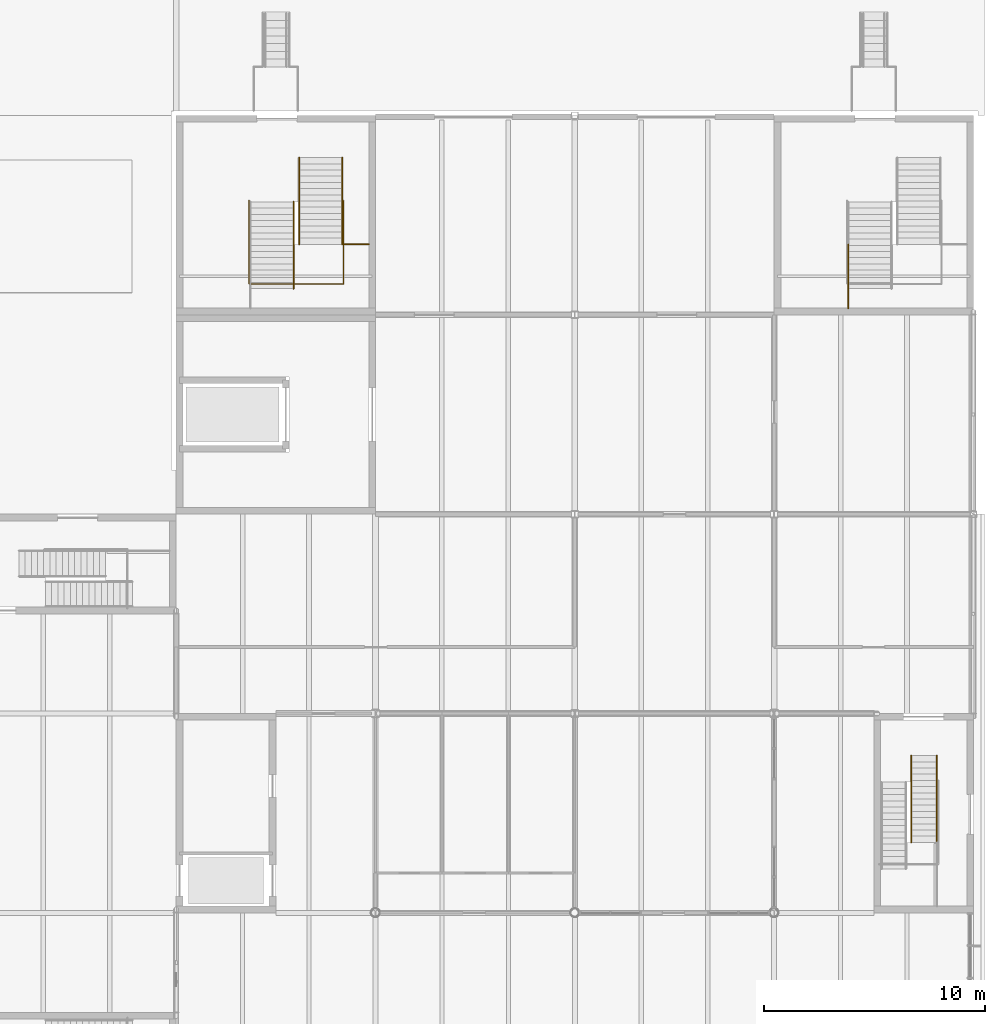
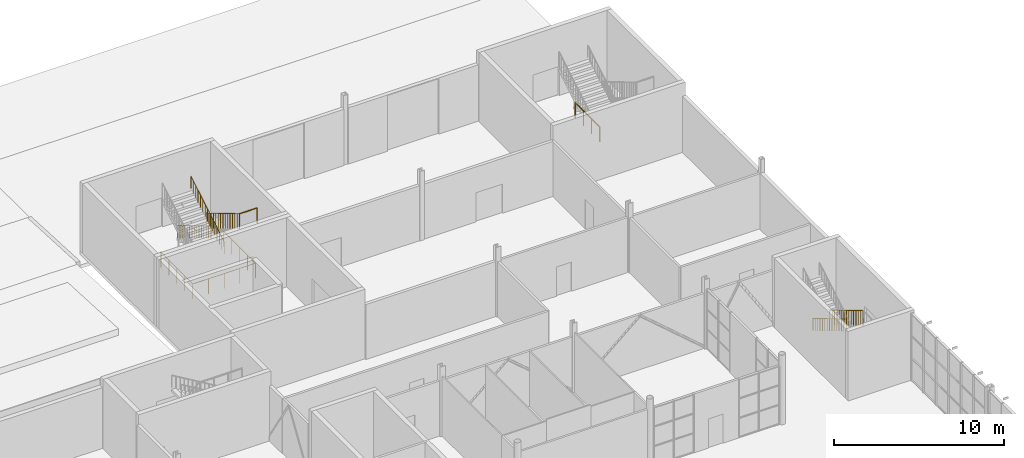
# One storey, part 61 of 63: 8 railings.
"""IFC4 building model written with IfcOpenShell, lengths in metres."""

from ifc_helpers import new_model, si_unit, direction, frame, origin, origin_2d, place, context, subcontext, project, spatial, circle, extrude, material, type_object, element, save


model = new_model("IFC4")

# Units and contexts
model_context = context("Model", 3, precision=1e-05, world=origin(), true_north=direction((0.0, 1.0)))
body_context = subcontext(model_context, "Body", "Model", "MODEL_VIEW")
ifc_project = project(units=[si_unit("LENGTHUNIT", "METRE"), si_unit("AREAUNIT", "SQUARE_METRE"), si_unit("VOLUMEUNIT", "CUBIC_METRE"), si_unit("PLANEANGLEUNIT", "RADIAN"), si_unit("MASSUNIT", "GRAM", prefix="KILO")], contexts=[model_context])

# Site, building, storey
site_placement = place(None, origin())
site = spatial("IfcSite", under=ifc_project, at=site_placement, CompositionType="ELEMENT")
building_placement = place(site_placement, origin())
building = spatial("IfcBuilding", under=site, at=building_placement, Name="Halyard Row Museum", CompositionType="ELEMENT")
storey_placement = place(building_placement, origin())
storey = spatial("IfcBuildingStorey", under=building, at=storey_placement, Name="L00", CompositionType="ELEMENT", Elevation=0.0)

# Railings
ifc_material_1 = material(Name="Steel Grade 300", Category="steel")
railing_type_1 = type_object("IfcRailingType", Name="Guard GR2 steel balustrade 1100", PredefinedType="GUARDRAIL", material=ifc_material_1)
railing_1_placement = place(storey_placement, frame((106.35009765625, 34.10009765625, 0.166748046875)))
element("IfcRailing", 1, at=railing_1_placement, inside=storey, type_object=railing_type_1, Name="Guard GR065", PredefinedType="GUARDRAIL", context=body_context, shape_type="SweptSolid", body=[
    extrude(circle(Radius=0.02392578125, at=origin_2d()), frame((0.0, 0.0, 1.076171875), z_axis=(0.0, -0.859535888021, 0.511075392877), x_axis=(1.0, 0.0, 0.0)), (0.0, 0.0, 1.0), 0.32568359375),
    extrude(circle(Radius=0.02392578125, at=origin_2d()), frame((0.0, -0.280029296875, 1.24267578125), z_axis=(0.0, -0.859206643714, 0.511628716353), x_axis=(1.0, 0.0, 0.0)), (0.0, 0.0, 1.0), 0.325927734375),
    extrude(circle(Radius=0.02392578125, at=origin_2d()), frame((0.0, -0.56005859375, 1.4091796875), z_axis=(0.0, -0.859206643714, 0.511628716353), x_axis=(1.0, 0.0, 0.0)), (0.0, 0.0, 1.0), 0.325927734375),
    extrude(circle(Radius=0.02392578125, at=origin_2d()), frame((0.0, -0.840087890625, 1.576171875), z_axis=(0.0, -0.859535888021, 0.511075392877), x_axis=(1.0, 0.0, 0.0)), (0.0, 0.0, 1.0), 0.32568359375),
    extrude(circle(Radius=0.02392578125, at=origin_2d()), frame((0.0, -1.1201171875, 1.74267578125), z_axis=(0.0, -0.859206643714, 0.511628716353), x_axis=(1.0, 0.0, 0.0)), (0.0, 0.0, 1.0), 0.325927734375),
    extrude(circle(Radius=0.02392578125, at=origin_2d()), frame((0.0, -1.400146484375, 1.9091796875), z_axis=(0.0, -0.859206643714, 0.511628716353), x_axis=(1.0, 0.0, 0.0)), (0.0, 0.0, 1.0), 0.325927734375),
    extrude(circle(Radius=0.02392578125, at=origin_2d()), frame((0.0, -1.68017578125, 2.076171875), z_axis=(0.0, -0.859535888021, 0.511075392877), x_axis=(1.0, 0.0, 0.0)), (0.0, 0.0, 1.0), 0.32568359375),
    extrude(circle(Radius=0.02392578125, at=origin_2d()), frame((0.0, -1.960205078125, 2.24267578125), z_axis=(0.0, -0.859010369412, 0.511958187006), x_axis=(1.0, 0.0, 0.0)), (0.0, 0.0, 1.0), 0.32568359375),
    extrude(circle(Radius=0.02392578125, at=origin_2d()), frame((0.0, -2.239990234375, 2.4091796875), z_axis=(0.0, -0.859206643714, 0.511628716353), x_axis=(1.0, 0.0, 0.0)), (0.0, 0.0, 1.0), 0.325927734375),
    extrude(circle(Radius=0.02392578125, at=origin_2d()), frame((0.0, -2.52001953125, 2.576171875), z_axis=(0.0, -0.859535888021, 0.511075392877), x_axis=(1.0, 0.0, 0.0)), (0.0, 0.0, 1.0), 0.32568359375),
    extrude(circle(Radius=0.02392578125, at=origin_2d()), frame((0.0, -2.800048828125, 2.74267578125), z_axis=(0.0, -0.859206643714, 0.511628716353), x_axis=(1.0, 0.0, 0.0)), (0.0, 0.0, 1.0), 0.325927734375),
    extrude(circle(Radius=0.02392578125, at=origin_2d()), frame((0.0, -3.080078125, 2.9091796875), z_axis=(0.0, -0.859206643714, 0.511628716353), x_axis=(1.0, 0.0, 0.0)), (0.0, 0.0, 1.0), 0.325927734375),
    extrude(circle(Radius=0.02392578125, at=origin_2d()), frame((0.0, -3.360107421875, 3.076171875), z_axis=(0.0, -0.859535888021, 0.511075392877), x_axis=(1.0, 0.0, 0.0)), (0.0, 0.0, 1.0), 0.32568359375),
    extrude(circle(Radius=0.02392578125, at=origin_2d()), frame((0.0, -3.64013671875, 3.24267578125), z_axis=(0.0, -0.859206643714, 0.511628716353), x_axis=(1.0, 0.0, 0.0)), (0.0, 0.0, 1.0), 0.325927734375),
    extrude(circle(Radius=0.02099609375, at=origin_2d()), origin(), (0.0, 0.0, 1.0), 1.052001953125),
    extrude(circle(Radius=0.02099609375, at=origin_2d()), frame((0.0, -0.280029296875, 0.16650390625)), (0.0, 0.0, 1.0), 1.052001953125),
    extrude(circle(Radius=0.02099609375, at=origin_2d()), frame((0.0, -0.56005859375, 0.333251953125)), (0.0, 0.0, 1.0), 1.052001953125),
    extrude(circle(Radius=0.02099609375, at=origin_2d()), frame((0.0, -0.840087890625, 0.5)), (0.0, 0.0, 1.0), 1.052001953125),
    extrude(circle(Radius=0.02099609375, at=origin_2d()), frame((0.0, -1.1201171875, 0.66650390625)), (0.0, 0.0, 1.0), 1.052001953125),
    extrude(circle(Radius=0.02099609375, at=origin_2d()), frame((0.0, -1.400146484375, 0.833251953125)), (0.0, 0.0, 1.0), 1.052001953125),
    extrude(circle(Radius=0.02099609375, at=origin_2d()), frame((0.0, -1.68017578125, 1.0)), (0.0, 0.0, 1.0), 1.052001953125),
    extrude(circle(Radius=0.02099609375, at=origin_2d()), frame((0.0, -1.960205078125, 1.16650390625)), (0.0, 0.0, 1.0), 1.052001953125),
    extrude(circle(Radius=0.02099609375, at=origin_2d()), frame((0.0, -2.239990234375, 1.333251953125)), (0.0, 0.0, 1.0), 1.052001953125),
    extrude(circle(Radius=0.02099609375, at=origin_2d()), frame((0.0, -2.52001953125, 1.5)), (0.0, 0.0, 1.0), 1.052001953125),
    extrude(circle(Radius=0.02099609375, at=origin_2d()), frame((0.0, -2.800048828125, 1.66650390625)), (0.0, 0.0, 1.0), 1.052001953125),
    extrude(circle(Radius=0.02099609375, at=origin_2d()), frame((0.0, -3.080078125, 1.833251953125)), (0.0, 0.0, 1.0), 1.052001953125),
    extrude(circle(Radius=0.02099609375, at=origin_2d()), frame((0.0, -3.360107421875, 2.0)), (0.0, 0.0, 1.0), 1.052001953125),
    extrude(circle(Radius=0.02099609375, at=origin_2d()), frame((0.0, -3.64013671875, 2.16650390625)), (0.0, 0.0, 1.0), 1.052001953125),
    extrude(circle(Radius=0.02099609375, at=origin_2d()), frame((0.0, -3.920166015625, 2.333251953125)), (0.0, 0.0, 1.0), 1.052001953125),
])
railing_2_placement = place(storey_placement, frame((79.5, 61.10009765625, 0.166748046875)))
element("IfcRailing", 2, at=railing_2_placement, inside=storey, type_object=railing_type_1, Name="Guard GR100", PredefinedType="GUARDRAIL", context=body_context, shape_type="SweptSolid", body=[
    extrude(circle(Radius=0.02392578125, at=origin_2d()), frame((0.0, 0.0, 1.076171875), z_axis=(0.0, -0.859535888021, 0.511075392877), x_axis=(1.0, 0.0, 0.0)), (0.0, 0.0, 1.0), 0.32568359375),
    extrude(circle(Radius=0.02392578125, at=origin_2d()), frame((0.0, -0.280029296875, 1.24267578125), z_axis=(0.0, -0.859206643714, 0.511628716353), x_axis=(1.0, 0.0, 0.0)), (0.0, 0.0, 1.0), 0.325927734375),
    extrude(circle(Radius=0.02392578125, at=origin_2d()), frame((0.0, -0.56005859375, 1.4091796875), z_axis=(0.0, -0.859206643714, 0.511628716353), x_axis=(1.0, 0.0, 0.0)), (0.0, 0.0, 1.0), 0.325927734375),
    extrude(circle(Radius=0.02392578125, at=origin_2d()), frame((0.0, -0.840087890625, 1.576171875), z_axis=(0.0, -0.859535888021, 0.511075392877), x_axis=(1.0, 0.0, 0.0)), (0.0, 0.0, 1.0), 0.32568359375),
    extrude(circle(Radius=0.02392578125, at=origin_2d()), frame((0.0, -1.1201171875, 1.74267578125), z_axis=(0.0, -0.859206643714, 0.511628716353), x_axis=(1.0, 0.0, 0.0)), (0.0, 0.0, 1.0), 0.325927734375),
    extrude(circle(Radius=0.02392578125, at=origin_2d()), frame((0.0, -1.400146484375, 1.9091796875), z_axis=(0.0, -0.859206643714, 0.511628716353), x_axis=(1.0, 0.0, 0.0)), (0.0, 0.0, 1.0), 0.325927734375),
    extrude(circle(Radius=0.02392578125, at=origin_2d()), frame((0.0, -1.68017578125, 2.076171875), z_axis=(0.0, -0.859535888021, 0.511075392877), x_axis=(1.0, 0.0, 0.0)), (0.0, 0.0, 1.0), 0.32568359375),
    extrude(circle(Radius=0.02392578125, at=origin_2d()), frame((0.0, -1.960205078125, 2.24267578125), z_axis=(0.0, -0.859010369412, 0.511958187006), x_axis=(1.0, 0.0, 0.0)), (0.0, 0.0, 1.0), 0.32568359375),
    extrude(circle(Radius=0.02392578125, at=origin_2d()), frame((0.0, -2.239990234375, 2.4091796875), z_axis=(0.0, -0.859206643714, 0.511628716353), x_axis=(1.0, 0.0, 0.0)), (0.0, 0.0, 1.0), 0.325927734375),
    extrude(circle(Radius=0.02392578125, at=origin_2d()), frame((0.0, -2.52001953125, 2.576171875), z_axis=(0.0, -0.859535888021, 0.511075392877), x_axis=(1.0, 0.0, 0.0)), (0.0, 0.0, 1.0), 0.32568359375),
    extrude(circle(Radius=0.02392578125, at=origin_2d()), frame((0.0, -2.800048828125, 2.74267578125), z_axis=(0.0, -0.859206643714, 0.511628716353), x_axis=(1.0, 0.0, 0.0)), (0.0, 0.0, 1.0), 0.325927734375),
    extrude(circle(Radius=0.02392578125, at=origin_2d()), frame((0.0, -3.080078125, 2.9091796875), z_axis=(0.0, -0.859206643714, 0.511628716353), x_axis=(1.0, 0.0, 0.0)), (0.0, 0.0, 1.0), 0.325927734375),
    extrude(circle(Radius=0.02392578125, at=origin_2d()), frame((0.0, -3.360107421875, 3.076171875), z_axis=(0.0, -0.859535888021, 0.511075392877), x_axis=(1.0, 0.0, 0.0)), (0.0, 0.0, 1.0), 0.32568359375),
    extrude(circle(Radius=0.02392578125, at=origin_2d()), frame((0.0, -3.64013671875, 3.24267578125), z_axis=(0.0, -0.859206643714, 0.511628716353), x_axis=(1.0, 0.0, 0.0)), (0.0, 0.0, 1.0), 0.325927734375),
    extrude(circle(Radius=0.02099609375, at=origin_2d()), origin(), (0.0, 0.0, 1.0), 1.052001953125),
    extrude(circle(Radius=0.02099609375, at=origin_2d()), frame((0.0, -0.280029296875, 0.16650390625)), (0.0, 0.0, 1.0), 1.052001953125),
    extrude(circle(Radius=0.02099609375, at=origin_2d()), frame((0.0, -0.56005859375, 0.333251953125)), (0.0, 0.0, 1.0), 1.052001953125),
    extrude(circle(Radius=0.02099609375, at=origin_2d()), frame((0.0, -0.840087890625, 0.5)), (0.0, 0.0, 1.0), 1.052001953125),
    extrude(circle(Radius=0.02099609375, at=origin_2d()), frame((0.0, -1.1201171875, 0.66650390625)), (0.0, 0.0, 1.0), 1.052001953125),
    extrude(circle(Radius=0.02099609375, at=origin_2d()), frame((0.0, -1.400146484375, 0.833251953125)), (0.0, 0.0, 1.0), 1.052001953125),
    extrude(circle(Radius=0.02099609375, at=origin_2d()), frame((0.0, -1.68017578125, 1.0)), (0.0, 0.0, 1.0), 1.052001953125),
    extrude(circle(Radius=0.02099609375, at=origin_2d()), frame((0.0, -1.960205078125, 1.16650390625)), (0.0, 0.0, 1.0), 1.052001953125),
    extrude(circle(Radius=0.02099609375, at=origin_2d()), frame((0.0, -2.239990234375, 1.333251953125)), (0.0, 0.0, 1.0), 1.052001953125),
    extrude(circle(Radius=0.02099609375, at=origin_2d()), frame((0.0, -2.52001953125, 1.5)), (0.0, 0.0, 1.0), 1.052001953125),
    extrude(circle(Radius=0.02099609375, at=origin_2d()), frame((0.0, -2.800048828125, 1.66650390625)), (0.0, 0.0, 1.0), 1.052001953125),
    extrude(circle(Radius=0.02099609375, at=origin_2d()), frame((0.0, -3.080078125, 1.833251953125)), (0.0, 0.0, 1.0), 1.052001953125),
    extrude(circle(Radius=0.02099609375, at=origin_2d()), frame((0.0, -3.360107421875, 2.0)), (0.0, 0.0, 1.0), 1.052001953125),
    extrude(circle(Radius=0.02099609375, at=origin_2d()), frame((0.0, -3.64013671875, 2.16650390625)), (0.0, 0.0, 1.0), 1.052001953125),
    extrude(circle(Radius=0.02099609375, at=origin_2d()), frame((0.0, -3.920166015625, 2.333251953125)), (0.0, 0.0, 1.0), 1.052001953125),
])
railing_3_placement = place(storey_placement, frame((80.699951171875, 57.179931640625, 2.5)))
element("IfcRailing", 3, at=railing_3_placement, inside=storey, type_object=railing_type_1, Name="Guard GR102", PredefinedType="GUARDRAIL", context=body_context, shape_type="SweptSolid", body=[
    extrude(circle(Radius=0.02392578125, at=origin_2d()), frame((0.0, 0.0, 1.076171875), z_axis=(-1.0, 0.0, 0.0), x_axis=(0.0, -1.0, 0.0)), (0.0, 0.0, 1.0), 1.199951171875),
    extrude(circle(Radius=0.02099609375, at=origin_2d()), origin(), (0.0, 0.0, 1.0), 1.052001953125),
    extrude(circle(Radius=0.02099609375, at=origin_2d()), frame((-1.199951171875, 0.0, 0.0)), (0.0, 0.0, 1.0), 1.052001953125),
])
railing_4_placement = place(storey_placement, frame((102.35009765625, 57.179931640625, 2.5)))
element("IfcRailing", 4, at=railing_4_placement, inside=storey, type_object=railing_type_1, Name="Guard GR119", PredefinedType="GUARDRAIL", context=body_context, shape_type="SweptSolid", body=[
    extrude(circle(Radius=0.02392578125, at=origin_2d()), frame((0.0, 0.0, 1.076171875), z_axis=(0.0, -1.0, 0.0), x_axis=(1.0, 0.0, 0.0)), (0.0, 0.0, 1.0), 2.8798828125),
    extrude(circle(Radius=0.02099609375, at=origin_2d()), origin(), (0.0, 0.0, 1.0), 1.052001953125),
    extrude(circle(Radius=0.02099609375, at=origin_2d()), frame((0.0, -0.9599609375, 0.0)), (0.0, 0.0, 1.0), 1.052001953125),
    extrude(circle(Radius=0.02099609375, at=origin_2d()), frame((0.0, -1.919921875, 0.0)), (0.0, 0.0, 1.0), 1.052001953125),
    extrude(circle(Radius=0.02099609375, at=origin_2d()), frame((0.0, -2.8798828125, 0.0)), (0.0, 0.0, 1.0), 1.052001953125),
])
railing_5_placement = place(storey_placement, frame((79.56005859375, 59.159912109375, 0.0)))
element("IfcRailing", 5, at=railing_5_placement, inside=storey, type_object=railing_type_1, Name="Guard GR181", PredefinedType="GUARDRAIL", context=body_context, shape_type="SweptSolid", body=[
    extrude(circle(Radius=0.02392578125, at=origin_2d()), frame((0.0, 0.0, 1.076171875), z_axis=(0.0, -1.0, 0.0), x_axis=(1.0, 0.0, 0.0)), (0.0, 0.0, 1.0), 3.760009765625),
    extrude(circle(Radius=0.02392578125, at=origin_2d()), frame((0.0, -3.760009765625, 1.076171875), z_axis=(-1.0, 0.0, 0.0), x_axis=(0.0, -1.0, 0.0)), (0.0, 0.0, 1.0), 4.27001953125),
    extrude(circle(Radius=0.02392578125, at=origin_2d()), frame((-4.27001953125, -3.760009765625, 1.076171875), z_axis=(0.0, 1.0, 0.0), x_axis=(-1.0, 0.0, 0.0)), (0.0, 0.0, 1.0), 3.760009765625),
    extrude(circle(Radius=0.02099609375, at=origin_2d()), origin(), (0.0, 0.0, 1.0), 1.052001953125),
    extrude(circle(Radius=0.02099609375, at=origin_2d()), frame((0.0, -0.93994140625, 0.0)), (0.0, 0.0, 1.0), 1.052001953125),
    extrude(circle(Radius=0.02099609375, at=origin_2d()), frame((0.0, -1.8798828125, 0.0)), (0.0, 0.0, 1.0), 1.052001953125),
    extrude(circle(Radius=0.02099609375, at=origin_2d()), frame((0.0, -2.820068359375, 0.0)), (0.0, 0.0, 1.0), 1.052001953125),
    extrude(circle(Radius=0.02099609375, at=origin_2d()), frame((0.0, -3.760009765625, 0.0)), (0.0, 0.0, 1.0), 1.052001953125),
    extrude(circle(Radius=0.02099609375, at=origin_2d()), frame((-1.0673828125, -3.760009765625, 0.0)), (0.0, 0.0, 1.0), 1.052001953125),
    extrude(circle(Radius=0.02099609375, at=origin_2d()), frame((-2.135009765625, -3.760009765625, 0.0)), (0.0, 0.0, 1.0), 1.052001953125),
    extrude(circle(Radius=0.02099609375, at=origin_2d()), frame((-3.20263671875, -3.760009765625, 0.0)), (0.0, 0.0, 1.0), 1.052001953125),
    extrude(circle(Radius=0.02099609375, at=origin_2d()), frame((-4.27001953125, -3.760009765625, 0.0)), (0.0, 0.0, 1.0), 1.052001953125),
    extrude(circle(Radius=0.02099609375, at=origin_2d()), frame((-4.27001953125, -2.820068359375, 0.0)), (0.0, 0.0, 1.0), 1.052001953125),
    extrude(circle(Radius=0.02099609375, at=origin_2d()), frame((-4.27001953125, -1.8798828125, 0.0)), (0.0, 0.0, 1.0), 1.052001953125),
    extrude(circle(Radius=0.02099609375, at=origin_2d()), frame((-4.27001953125, -0.93994140625, 0.0)), (0.0, 0.0, 1.0), 1.052001953125),
    extrude(circle(Radius=0.02099609375, at=origin_2d()), frame((-4.27001953125, 0.0, 0.0)), (0.0, 0.0, 1.0), 1.052001953125),
])
ifc_material_2 = material(Name="Steel Grade 300", Category="steel")
railing_type_2 = type_object("IfcRailingType", Name="Handrail HR2 steel 900", PredefinedType="HANDRAIL", material=ifc_material_2)
railing_6_placement = place(storey_placement, frame((105.199951171875, 34.10009765625, 0.166748046875)))
element("IfcRailing", 6, at=railing_6_placement, inside=storey, type_object=railing_type_2, Name="Handrail HR094", PredefinedType="HANDRAIL", context=body_context, shape_type="SweptSolid", body=[
    extrude(circle(Radius=0.02392578125, at=origin_2d()), frame((0.0, 0.0, 0.8759765625), z_axis=(0.0, -0.859535888021, 0.511075392877), x_axis=(1.0, 0.0, 0.0)), (0.0, 0.0, 1.0), 0.32568359375),
    extrude(circle(Radius=0.02392578125, at=origin_2d()), frame((0.0, -0.280029296875, 1.04248046875), z_axis=(0.0, -0.859206643714, 0.511628716353), x_axis=(1.0, 0.0, 0.0)), (0.0, 0.0, 1.0), 0.325927734375),
    extrude(circle(Radius=0.02392578125, at=origin_2d()), frame((0.0, -0.56005859375, 1.208984375), z_axis=(0.0, -0.859206643714, 0.511628716353), x_axis=(1.0, 0.0, 0.0)), (0.0, 0.0, 1.0), 0.325927734375),
    extrude(circle(Radius=0.02392578125, at=origin_2d()), frame((0.0, -0.840087890625, 1.3759765625), z_axis=(0.0, -0.859535888021, 0.511075392877), x_axis=(1.0, 0.0, 0.0)), (0.0, 0.0, 1.0), 0.32568359375),
    extrude(circle(Radius=0.02392578125, at=origin_2d()), frame((0.0, -1.1201171875, 1.54248046875), z_axis=(0.0, -0.859206643714, 0.511628716353), x_axis=(1.0, 0.0, 0.0)), (0.0, 0.0, 1.0), 0.325927734375),
    extrude(circle(Radius=0.02392578125, at=origin_2d()), frame((0.0, -1.400146484375, 1.708984375), z_axis=(0.0, -0.859206643714, 0.511628716353), x_axis=(1.0, 0.0, 0.0)), (0.0, 0.0, 1.0), 0.325927734375),
    extrude(circle(Radius=0.02392578125, at=origin_2d()), frame((0.0, -1.68017578125, 1.8759765625), z_axis=(0.0, -0.859535888021, 0.511075392877), x_axis=(1.0, 0.0, 0.0)), (0.0, 0.0, 1.0), 0.32568359375),
    extrude(circle(Radius=0.02392578125, at=origin_2d()), frame((0.0, -1.960205078125, 2.04248046875), z_axis=(0.0, -0.859010369412, 0.511958187006), x_axis=(1.0, 0.0, 0.0)), (0.0, 0.0, 1.0), 0.32568359375),
    extrude(circle(Radius=0.02392578125, at=origin_2d()), frame((0.0, -2.239990234375, 2.208984375), z_axis=(0.0, -0.859206643714, 0.511628716353), x_axis=(1.0, 0.0, 0.0)), (0.0, 0.0, 1.0), 0.325927734375),
    extrude(circle(Radius=0.02392578125, at=origin_2d()), frame((0.0, -2.52001953125, 2.3759765625), z_axis=(0.0, -0.859535888021, 0.511075392877), x_axis=(1.0, 0.0, 0.0)), (0.0, 0.0, 1.0), 0.32568359375),
    extrude(circle(Radius=0.02392578125, at=origin_2d()), frame((0.0, -2.800048828125, 2.54248046875), z_axis=(0.0, -0.859206643714, 0.511628716353), x_axis=(1.0, 0.0, 0.0)), (0.0, 0.0, 1.0), 0.325927734375),
    extrude(circle(Radius=0.02392578125, at=origin_2d()), frame((0.0, -3.080078125, 2.708984375), z_axis=(0.0, -0.859206643714, 0.511628716353), x_axis=(1.0, 0.0, 0.0)), (0.0, 0.0, 1.0), 0.325927734375),
    extrude(circle(Radius=0.02392578125, at=origin_2d()), frame((0.0, -3.360107421875, 2.8759765625), z_axis=(0.0, -0.859535888021, 0.511075392877), x_axis=(1.0, 0.0, 0.0)), (0.0, 0.0, 1.0), 0.32568359375),
    extrude(circle(Radius=0.02392578125, at=origin_2d()), frame((0.0, -3.64013671875, 3.04248046875), z_axis=(0.0, -0.859206643714, 0.511628716353), x_axis=(1.0, 0.0, 0.0)), (0.0, 0.0, 1.0), 0.325927734375),
    extrude(circle(Radius=0.02099609375, at=origin_2d()), origin(), (0.0, 0.0, 1.0), 0.851806640625),
    extrude(circle(Radius=0.02099609375, at=origin_2d()), frame((0.0, -0.280029296875, 0.16650390625)), (0.0, 0.0, 1.0), 0.851806640625),
    extrude(circle(Radius=0.02099609375, at=origin_2d()), frame((0.0, -0.56005859375, 0.333251953125)), (0.0, 0.0, 1.0), 0.851806640625),
    extrude(circle(Radius=0.02099609375, at=origin_2d()), frame((0.0, -0.840087890625, 0.5)), (0.0, 0.0, 1.0), 0.851806640625),
    extrude(circle(Radius=0.02099609375, at=origin_2d()), frame((0.0, -1.1201171875, 0.66650390625)), (0.0, 0.0, 1.0), 0.851806640625),
    extrude(circle(Radius=0.02099609375, at=origin_2d()), frame((0.0, -1.400146484375, 0.833251953125)), (0.0, 0.0, 1.0), 0.851806640625),
    extrude(circle(Radius=0.02099609375, at=origin_2d()), frame((0.0, -1.68017578125, 1.0)), (0.0, 0.0, 1.0), 0.851806640625),
    extrude(circle(Radius=0.02099609375, at=origin_2d()), frame((0.0, -1.960205078125, 1.16650390625)), (0.0, 0.0, 1.0), 0.851806640625),
    extrude(circle(Radius=0.02099609375, at=origin_2d()), frame((0.0, -2.239990234375, 1.333251953125)), (0.0, 0.0, 1.0), 0.851806640625),
    extrude(circle(Radius=0.02099609375, at=origin_2d()), frame((0.0, -2.52001953125, 1.5)), (0.0, 0.0, 1.0), 0.851806640625),
    extrude(circle(Radius=0.02099609375, at=origin_2d()), frame((0.0, -2.800048828125, 1.66650390625)), (0.0, 0.0, 1.0), 0.851806640625),
    extrude(circle(Radius=0.02099609375, at=origin_2d()), frame((0.0, -3.080078125, 1.833251953125)), (0.0, 0.0, 1.0), 0.851806640625),
    extrude(circle(Radius=0.02099609375, at=origin_2d()), frame((0.0, -3.360107421875, 2.0)), (0.0, 0.0, 1.0), 0.851806640625),
    extrude(circle(Radius=0.02099609375, at=origin_2d()), frame((0.0, -3.64013671875, 2.16650390625)), (0.0, 0.0, 1.0), 0.851806640625),
    extrude(circle(Radius=0.02099609375, at=origin_2d()), frame((0.0, -3.920166015625, 2.333251953125)), (0.0, 0.0, 1.0), 0.851806640625),
])
railing_7_placement = place(storey_placement, frame((77.550048828125, 61.10009765625, 0.166748046875)))
element("IfcRailing", 7, at=railing_7_placement, inside=storey, type_object=railing_type_2, Name="Handrail HR137", PredefinedType="HANDRAIL", context=body_context, shape_type="SweptSolid", body=[
    extrude(circle(Radius=0.02392578125, at=origin_2d()), frame((0.0, 0.0, 0.8759765625), z_axis=(0.0, -0.859535888021, 0.511075392877), x_axis=(1.0, 0.0, 0.0)), (0.0, 0.0, 1.0), 0.32568359375),
    extrude(circle(Radius=0.02392578125, at=origin_2d()), frame((0.0, -0.280029296875, 1.04248046875), z_axis=(0.0, -0.859206643714, 0.511628716353), x_axis=(1.0, 0.0, 0.0)), (0.0, 0.0, 1.0), 0.325927734375),
    extrude(circle(Radius=0.02392578125, at=origin_2d()), frame((0.0, -0.56005859375, 1.208984375), z_axis=(0.0, -0.859206643714, 0.511628716353), x_axis=(1.0, 0.0, 0.0)), (0.0, 0.0, 1.0), 0.325927734375),
    extrude(circle(Radius=0.02392578125, at=origin_2d()), frame((0.0, -0.840087890625, 1.3759765625), z_axis=(0.0, -0.859535888021, 0.511075392877), x_axis=(1.0, 0.0, 0.0)), (0.0, 0.0, 1.0), 0.32568359375),
    extrude(circle(Radius=0.02392578125, at=origin_2d()), frame((0.0, -1.1201171875, 1.54248046875), z_axis=(0.0, -0.859206643714, 0.511628716353), x_axis=(1.0, 0.0, 0.0)), (0.0, 0.0, 1.0), 0.325927734375),
    extrude(circle(Radius=0.02392578125, at=origin_2d()), frame((0.0, -1.400146484375, 1.708984375), z_axis=(0.0, -0.859206643714, 0.511628716353), x_axis=(1.0, 0.0, 0.0)), (0.0, 0.0, 1.0), 0.325927734375),
    extrude(circle(Radius=0.02392578125, at=origin_2d()), frame((0.0, -1.68017578125, 1.8759765625), z_axis=(0.0, -0.859535888021, 0.511075392877), x_axis=(1.0, 0.0, 0.0)), (0.0, 0.0, 1.0), 0.32568359375),
    extrude(circle(Radius=0.02392578125, at=origin_2d()), frame((0.0, -1.960205078125, 2.04248046875), z_axis=(0.0, -0.859010369412, 0.511958187006), x_axis=(1.0, 0.0, 0.0)), (0.0, 0.0, 1.0), 0.32568359375),
    extrude(circle(Radius=0.02392578125, at=origin_2d()), frame((0.0, -2.239990234375, 2.208984375), z_axis=(0.0, -0.859206643714, 0.511628716353), x_axis=(1.0, 0.0, 0.0)), (0.0, 0.0, 1.0), 0.325927734375),
    extrude(circle(Radius=0.02392578125, at=origin_2d()), frame((0.0, -2.52001953125, 2.3759765625), z_axis=(0.0, -0.859535888021, 0.511075392877), x_axis=(1.0, 0.0, 0.0)), (0.0, 0.0, 1.0), 0.32568359375),
    extrude(circle(Radius=0.02392578125, at=origin_2d()), frame((0.0, -2.800048828125, 2.54248046875), z_axis=(0.0, -0.859206643714, 0.511628716353), x_axis=(1.0, 0.0, 0.0)), (0.0, 0.0, 1.0), 0.325927734375),
    extrude(circle(Radius=0.02392578125, at=origin_2d()), frame((0.0, -3.080078125, 2.708984375), z_axis=(0.0, -0.859206643714, 0.511628716353), x_axis=(1.0, 0.0, 0.0)), (0.0, 0.0, 1.0), 0.325927734375),
    extrude(circle(Radius=0.02392578125, at=origin_2d()), frame((0.0, -3.360107421875, 2.8759765625), z_axis=(0.0, -0.859535888021, 0.511075392877), x_axis=(1.0, 0.0, 0.0)), (0.0, 0.0, 1.0), 0.32568359375),
    extrude(circle(Radius=0.02392578125, at=origin_2d()), frame((0.0, -3.64013671875, 3.04248046875), z_axis=(0.0, -0.859206643714, 0.511628716353), x_axis=(1.0, 0.0, 0.0)), (0.0, 0.0, 1.0), 0.325927734375),
    extrude(circle(Radius=0.02099609375, at=origin_2d()), origin(), (0.0, 0.0, 1.0), 0.851806640625),
    extrude(circle(Radius=0.02099609375, at=origin_2d()), frame((0.0, -0.280029296875, 0.16650390625)), (0.0, 0.0, 1.0), 0.851806640625),
    extrude(circle(Radius=0.02099609375, at=origin_2d()), frame((0.0, -0.56005859375, 0.333251953125)), (0.0, 0.0, 1.0), 0.851806640625),
    extrude(circle(Radius=0.02099609375, at=origin_2d()), frame((0.0, -0.840087890625, 0.5)), (0.0, 0.0, 1.0), 0.851806640625),
    extrude(circle(Radius=0.02099609375, at=origin_2d()), frame((0.0, -1.1201171875, 0.66650390625)), (0.0, 0.0, 1.0), 0.851806640625),
    extrude(circle(Radius=0.02099609375, at=origin_2d()), frame((0.0, -1.400146484375, 0.833251953125)), (0.0, 0.0, 1.0), 0.851806640625),
    extrude(circle(Radius=0.02099609375, at=origin_2d()), frame((0.0, -1.68017578125, 1.0)), (0.0, 0.0, 1.0), 0.851806640625),
    extrude(circle(Radius=0.02099609375, at=origin_2d()), frame((0.0, -1.960205078125, 1.16650390625)), (0.0, 0.0, 1.0), 0.851806640625),
    extrude(circle(Radius=0.02099609375, at=origin_2d()), frame((0.0, -2.239990234375, 1.333251953125)), (0.0, 0.0, 1.0), 0.851806640625),
    extrude(circle(Radius=0.02099609375, at=origin_2d()), frame((0.0, -2.52001953125, 1.5)), (0.0, 0.0, 1.0), 0.851806640625),
    extrude(circle(Radius=0.02099609375, at=origin_2d()), frame((0.0, -2.800048828125, 1.66650390625)), (0.0, 0.0, 1.0), 0.851806640625),
    extrude(circle(Radius=0.02099609375, at=origin_2d()), frame((0.0, -3.080078125, 1.833251953125)), (0.0, 0.0, 1.0), 0.851806640625),
    extrude(circle(Radius=0.02099609375, at=origin_2d()), frame((0.0, -3.360107421875, 2.0)), (0.0, 0.0, 1.0), 0.851806640625),
    extrude(circle(Radius=0.02099609375, at=origin_2d()), frame((0.0, -3.64013671875, 2.16650390625)), (0.0, 0.0, 1.0), 0.851806640625),
    extrude(circle(Radius=0.02099609375, at=origin_2d()), frame((0.0, -3.920166015625, 2.333251953125)), (0.0, 0.0, 1.0), 0.851806640625),
])
railing_8_placement = place(storey_placement, frame((77.300048828125, 55.179931640625, 2.666748046875)))
element("IfcRailing", 8, at=railing_8_placement, inside=storey, type_object=railing_type_2, Name="Handrail HR138", PredefinedType="HANDRAIL", context=body_context, shape_type="SweptSolid", body=[
    extrude(circle(Radius=0.02392578125, at=origin_2d()), frame((0.0, 0.0, 0.8759765625), z_axis=(0.0, 0.859535888021, 0.511075392877), x_axis=(-1.0, 0.0, 0.0)), (0.0, 0.0, 1.0), 0.32568359375),
    extrude(circle(Radius=0.02392578125, at=origin_2d()), frame((0.0, 0.280029296875, 1.04248046875), z_axis=(0.0, 0.859206643714, 0.511628716353), x_axis=(-1.0, 0.0, 0.0)), (0.0, 0.0, 1.0), 0.325927734375),
    extrude(circle(Radius=0.02392578125, at=origin_2d()), frame((0.0, 0.56005859375, 1.208984375), z_axis=(0.0, 0.859206643714, 0.511628716353), x_axis=(-1.0, 0.0, 0.0)), (0.0, 0.0, 1.0), 0.325927734375),
    extrude(circle(Radius=0.02392578125, at=origin_2d()), frame((0.0, 0.840087890625, 1.3759765625), z_axis=(0.0, 0.859535888021, 0.511075392877), x_axis=(-1.0, 0.0, 0.0)), (0.0, 0.0, 1.0), 0.32568359375),
    extrude(circle(Radius=0.02392578125, at=origin_2d()), frame((0.0, 1.1201171875, 1.54248046875), z_axis=(0.0, 0.859206643714, 0.511628716353), x_axis=(-1.0, 0.0, 0.0)), (0.0, 0.0, 1.0), 0.325927734375),
    extrude(circle(Radius=0.02392578125, at=origin_2d()), frame((0.0, 1.400146484375, 1.708984375), z_axis=(0.0, 0.859206643714, 0.511628716353), x_axis=(-1.0, 0.0, 0.0)), (0.0, 0.0, 1.0), 0.325927734375),
    extrude(circle(Radius=0.02392578125, at=origin_2d()), frame((0.0, 1.68017578125, 1.8759765625), z_axis=(0.0, 0.859339962834, 0.511404759732), x_axis=(-1.0, 0.0, 0.0)), (0.0, 0.0, 1.0), 0.32568359375),
    extrude(circle(Radius=0.02392578125, at=origin_2d()), frame((0.0, 1.9599609375, 2.04248046875), z_axis=(0.0, 0.859206643714, 0.511628716353), x_axis=(-1.0, 0.0, 0.0)), (0.0, 0.0, 1.0), 0.325927734375),
    extrude(circle(Radius=0.02392578125, at=origin_2d()), frame((0.0, 2.239990234375, 2.208984375), z_axis=(0.0, 0.859206643714, 0.511628716353), x_axis=(-1.0, 0.0, 0.0)), (0.0, 0.0, 1.0), 0.325927734375),
    extrude(circle(Radius=0.02392578125, at=origin_2d()), frame((0.0, 2.52001953125, 2.3759765625), z_axis=(0.0, 0.859535888021, 0.511075392877), x_axis=(-1.0, 0.0, 0.0)), (0.0, 0.0, 1.0), 0.32568359375),
    extrude(circle(Radius=0.02392578125, at=origin_2d()), frame((0.0, 2.800048828125, 2.54248046875), z_axis=(0.0, 0.859206643714, 0.511628716353), x_axis=(-1.0, 0.0, 0.0)), (0.0, 0.0, 1.0), 0.325927734375),
    extrude(circle(Radius=0.02392578125, at=origin_2d()), frame((0.0, 3.080078125, 2.708984375), z_axis=(0.0, 0.859206643714, 0.511628716353), x_axis=(-1.0, 0.0, 0.0)), (0.0, 0.0, 1.0), 0.325927734375),
    extrude(circle(Radius=0.02392578125, at=origin_2d()), frame((0.0, 3.360107421875, 2.8759765625), z_axis=(0.0, 0.859535888021, 0.511075392877), x_axis=(-1.0, 0.0, 0.0)), (0.0, 0.0, 1.0), 0.32568359375),
    extrude(circle(Radius=0.02392578125, at=origin_2d()), frame((0.0, 3.64013671875, 3.04248046875), z_axis=(0.0, 0.859206643714, 0.511628716353), x_axis=(-1.0, 0.0, 0.0)), (0.0, 0.0, 1.0), 0.325927734375),
    extrude(circle(Radius=0.02099609375, at=origin_2d()), origin(), (0.0, 0.0, 1.0), 0.851806640625),
    extrude(circle(Radius=0.02099609375, at=origin_2d()), frame((0.0, 0.280029296875, 0.16650390625)), (0.0, 0.0, 1.0), 0.851806640625),
    extrude(circle(Radius=0.02099609375, at=origin_2d()), frame((0.0, 0.56005859375, 0.333251953125)), (0.0, 0.0, 1.0), 0.851806640625),
    extrude(circle(Radius=0.02099609375, at=origin_2d()), frame((0.0, 0.840087890625, 0.5)), (0.0, 0.0, 1.0), 0.851806640625),
    extrude(circle(Radius=0.02099609375, at=origin_2d()), frame((0.0, 1.1201171875, 0.66650390625)), (0.0, 0.0, 1.0), 0.851806640625),
    extrude(circle(Radius=0.02099609375, at=origin_2d()), frame((0.0, 1.400146484375, 0.833251953125)), (0.0, 0.0, 1.0), 0.851806640625),
    extrude(circle(Radius=0.02099609375, at=origin_2d()), frame((0.0, 1.68017578125, 1.0)), (0.0, 0.0, 1.0), 0.851806640625),
    extrude(circle(Radius=0.02099609375, at=origin_2d()), frame((0.0, 1.9599609375, 1.16650390625)), (0.0, 0.0, 1.0), 0.851806640625),
    extrude(circle(Radius=0.02099609375, at=origin_2d()), frame((0.0, 2.239990234375, 1.333251953125)), (0.0, 0.0, 1.0), 0.851806640625),
    extrude(circle(Radius=0.02099609375, at=origin_2d()), frame((0.0, 2.52001953125, 1.5)), (0.0, 0.0, 1.0), 0.851806640625),
    extrude(circle(Radius=0.02099609375, at=origin_2d()), frame((0.0, 2.800048828125, 1.66650390625)), (0.0, 0.0, 1.0), 0.851806640625),
    extrude(circle(Radius=0.02099609375, at=origin_2d()), frame((0.0, 3.080078125, 1.833251953125)), (0.0, 0.0, 1.0), 0.851806640625),
    extrude(circle(Radius=0.02099609375, at=origin_2d()), frame((0.0, 3.360107421875, 2.0)), (0.0, 0.0, 1.0), 0.851806640625),
    extrude(circle(Radius=0.02099609375, at=origin_2d()), frame((0.0, 3.64013671875, 2.16650390625)), (0.0, 0.0, 1.0), 0.851806640625),
    extrude(circle(Radius=0.02099609375, at=origin_2d()), frame((0.0, 3.920166015625, 2.333251953125)), (0.0, 0.0, 1.0), 0.851806640625),
])

save(model, "model.ifc")
